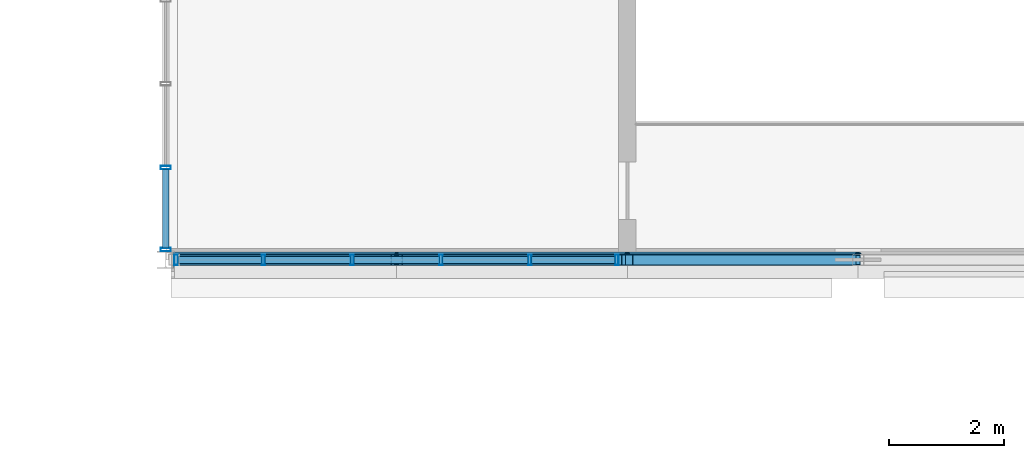
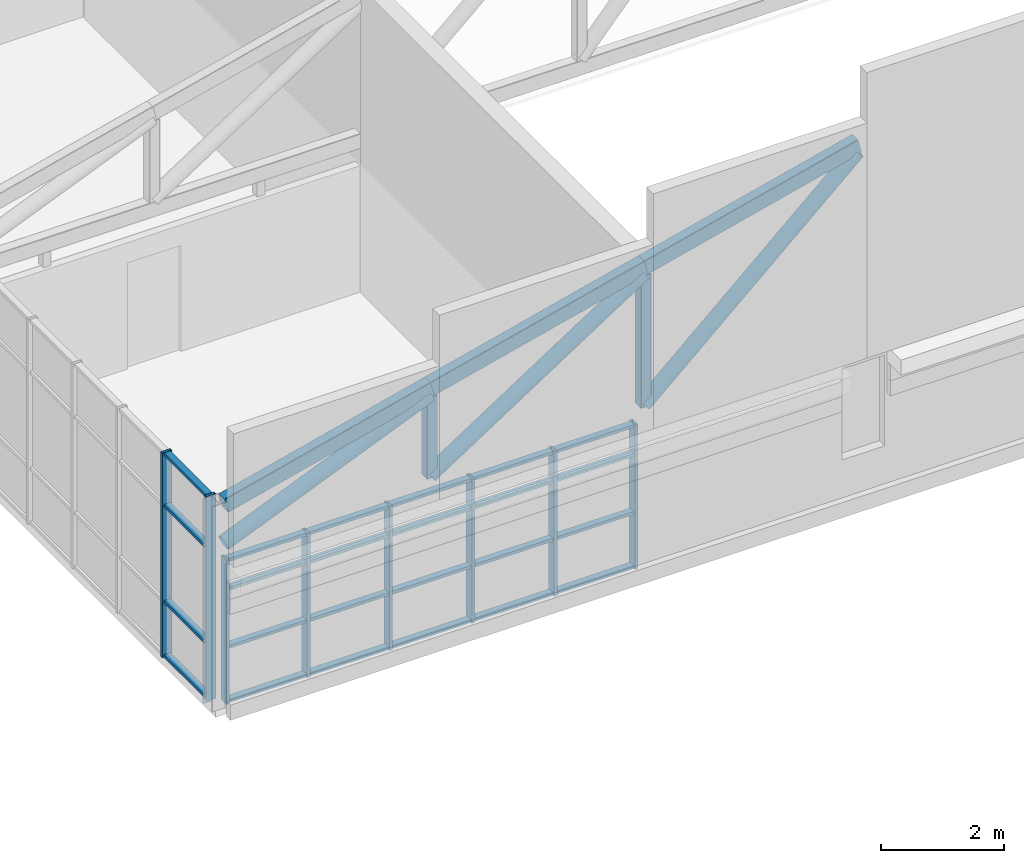
# One storey, part 67 of 149: 40 members, 2 elements without a shape of their own.
"""IFC4 building model written with IfcOpenShell, lengths in metres."""

from ifc_helpers import new_model, si_unit, direction, frame, origin, origin_2d, place, context, subcontext, project, spatial, hollow_rectangle, hollow_circle, extrude, material, material_profile, profile_set, type_object, element, aggregate, save


model = new_model("IFC4")

# Units and contexts
model_context = context("Model", 3, precision=1e-05, world=origin(), true_north=direction((0.0, 1.0)))
body_context = subcontext(model_context, "Body", "Model", "MODEL_VIEW")
ifc_project = project(units=[si_unit("LENGTHUNIT", "METRE"), si_unit("AREAUNIT", "SQUARE_METRE"), si_unit("VOLUMEUNIT", "CUBIC_METRE"), si_unit("PLANEANGLEUNIT", "RADIAN"), si_unit("MASSUNIT", "GRAM", prefix="KILO")], contexts=[model_context])

# Site, building, storey
site_placement = place(None, origin())
site = spatial("IfcSite", under=ifc_project, at=site_placement, CompositionType="ELEMENT")
building_placement = place(site_placement, origin())
building = spatial("IfcBuilding", under=site, at=building_placement, Name="Kallimachos Central Library", CompositionType="ELEMENT")
storey_placement = place(building_placement, frame((0.0, 0.0, 9.89990234375)))
storey = spatial("IfcBuildingStorey", under=building, at=storey_placement, Name="L02", CompositionType="ELEMENT", Elevation=9.89990234375)

# Curtain wall, members
ifc_material_1 = material(Name="Laminated glass in anodised aluminium", Category="aluminium")
curtain_wall_type = type_object("IfcCurtainWallType", Name="Foyer curtain wall", PredefinedType="NOTDEFINED", material=ifc_material_1)
curtain_wall_1_placement = place(storey_placement, origin())
curtain_wall_1 = element("IfcCurtainWall", 1, at=curtain_wall_1_placement, inside=storey, type_object=curtain_wall_type, Name="V3-CWL-L02-001", PredefinedType="NOTDEFINED")
ifc_material_2 = material(Name="Anodised aluminium", Category="aluminium")
ifc_material_profile_1 = material_profile(ifc_material_2, hollow_rectangle(XDim=0.06005859375, YDim=0.179931640625, WallThickness=0.00390625, at=origin_2d()), Name="ALU MULLION 60x180")
ifc_profile_set_1 = profile_set([ifc_material_profile_1], Name="Anodised aluminium")
member_type_1 = type_object("IfcMemberType", Name="ALU MULLION 60x180 mullion", PredefinedType="MULLION", material=ifc_profile_set_1)
member_1_placement = place(storey_placement, frame((138.0, 87.179931640625, 0.0), z_axis=(0.0, 0.0, 1.0), x_axis=(0.0, 1.0, 0.0)))
member_1 = element("IfcMember", 2, at=member_1_placement, type_object=member_type_1, Name="CW mullion 1", PredefinedType="MULLION", context=body_context, shape_type="SweptSolid", body=[
    extrude(hollow_rectangle(XDim=0.06005859375, YDim=0.179931640625, WallThickness=0.00390625, at=origin_2d()), origin(), (0.0, 0.0, 1.0), 4.050048828125),
])
member_2_placement = place(storey_placement, frame((138.0, 88.60009765625, 0.0), z_axis=(0.0, 0.0, 1.0), x_axis=(0.0, 1.0, 0.0)))
member_2 = element("IfcMember", 3, at=member_2_placement, type_object=member_type_1, Name="CW mullion 2", PredefinedType="MULLION", context=body_context, shape_type="SweptSolid", body=[
    extrude(hollow_rectangle(XDim=0.06005859375, YDim=0.179931640625, WallThickness=0.00390625, at=origin_2d()), origin(), (0.0, 0.0, 1.0), 4.050048828125),
])

curtain_wall_2_placement = place(storey_placement, origin())
curtain_wall_2 = element("IfcCurtainWall", 4, at=curtain_wall_2_placement, inside=storey, type_object=curtain_wall_type, Name="V3-CWL-L02-002", PredefinedType="NOTDEFINED")
member_3_placement = place(storey_placement, frame((138.179931640625, 87.0, 0.0), z_axis=(0.0, 0.0, 1.0), x_axis=(1.0, 0.0, 0.0)))
member_3 = element("IfcMember", 5, at=member_3_placement, type_object=member_type_1, Name="CW mullion 1", PredefinedType="MULLION", context=body_context, shape_type="SweptSolid", body=[
    extrude(hollow_rectangle(XDim=0.06005859375, YDim=0.179931640625, WallThickness=0.00390625, at=origin_2d()), origin(), (0.0, 0.0, 1.0), 2.85009765625),
])
member_4_placement = place(storey_placement, frame((139.68994140625, 87.0, 0.0), z_axis=(0.0, 0.0, 1.0), x_axis=(1.0, 0.0, 0.0)))
member_4 = element("IfcMember", 6, at=member_4_placement, type_object=member_type_1, Name="CW mullion 2", PredefinedType="MULLION", context=body_context, shape_type="SweptSolid", body=[
    extrude(hollow_rectangle(XDim=0.06005859375, YDim=0.179931640625, WallThickness=0.00390625, at=origin_2d()), origin(), (0.0, 0.0, 1.0), 2.85009765625),
])
member_5_placement = place(storey_placement, frame((141.22998046875, 87.0, 0.0), z_axis=(0.0, 0.0, 1.0), x_axis=(1.0, 0.0, 0.0)))
member_5 = element("IfcMember", 7, at=member_5_placement, type_object=member_type_1, Name="CW mullion 3", PredefinedType="MULLION", context=body_context, shape_type="SweptSolid", body=[
    extrude(hollow_rectangle(XDim=0.06005859375, YDim=0.179931640625, WallThickness=0.00390625, at=origin_2d()), origin(), (0.0, 0.0, 1.0), 2.85009765625),
])
member_6_placement = place(storey_placement, frame((142.77001953125, 87.0, 0.0), z_axis=(0.0, 0.0, 1.0), x_axis=(1.0, 0.0, 0.0)))
member_6 = element("IfcMember", 8, at=member_6_placement, type_object=member_type_1, Name="CW mullion 4", PredefinedType="MULLION", context=body_context, shape_type="SweptSolid", body=[
    extrude(hollow_rectangle(XDim=0.06005859375, YDim=0.179931640625, WallThickness=0.00390625, at=origin_2d()), origin(), (0.0, 0.0, 1.0), 2.85009765625),
])
member_7_placement = place(storey_placement, frame((144.31005859375, 87.0, 0.0), z_axis=(0.0, 0.0, 1.0), x_axis=(1.0, 0.0, 0.0)))
member_7 = element("IfcMember", 9, at=member_7_placement, type_object=member_type_1, Name="CW mullion 5", PredefinedType="MULLION", context=body_context, shape_type="SweptSolid", body=[
    extrude(hollow_rectangle(XDim=0.06005859375, YDim=0.179931640625, WallThickness=0.00390625, at=origin_2d()), origin(), (0.0, 0.0, 1.0), 2.85009765625),
])
member_8_placement = place(storey_placement, frame((145.820068359375, 87.0, 0.0), z_axis=(0.0, 0.0, 1.0), x_axis=(1.0, 0.0, 0.0)))
member_8 = element("IfcMember", 10, at=member_8_placement, type_object=member_type_1, Name="CW mullion 6", PredefinedType="MULLION", context=body_context, shape_type="SweptSolid", body=[
    extrude(hollow_rectangle(XDim=0.06005859375, YDim=0.179931640625, WallThickness=0.00390625, at=origin_2d()), origin(), (0.0, 0.0, 1.0), 2.85009765625),
])

# Member
ifc_material_3 = material(Name="Anodised aluminium", Category="aluminium")
ifc_material_profile_2 = material_profile(ifc_material_3, hollow_rectangle(XDim=0.06005859375, YDim=0.1201171875, WallThickness=0.00390625, at=origin_2d()), Name="ALU TRANSOM 60x120")
ifc_profile_set_2 = profile_set([ifc_material_profile_2], Name="Anodised aluminium")
member_type_2 = type_object("IfcMemberType", Name="ALU TRANSOM 60x120 transom", PredefinedType="USERDEFINED", material=ifc_profile_set_2)
member_9_placement = place(storey_placement, frame((138.0, 87.2099609375, 0.030029296875), z_axis=(0.0, 1.0, 0.0), x_axis=(0.0, 0.0, 1.0)))
member_9 = element("IfcMember", 11, at=member_9_placement, type_object=member_type_2, Name="CW transom 1.1", ObjectType="TRANSOM", PredefinedType="USERDEFINED", context=body_context, shape_type="SweptSolid", body=[
    extrude(hollow_rectangle(XDim=0.06005859375, YDim=0.1201171875, WallThickness=0.00390625, at=origin_2d()), origin(), (0.0, 0.0, 1.0), 1.360107421875),
])

member_10_placement = place(storey_placement, frame((138.0, 87.2099609375, 1.10009765625), z_axis=(0.0, 1.0, 0.0), x_axis=(0.0, 0.0, 1.0)))
member_10 = element("IfcMember", 12, at=member_10_placement, type_object=member_type_2, Name="CW transom 1.2", ObjectType="TRANSOM", PredefinedType="USERDEFINED", context=body_context, shape_type="SweptSolid", body=[
    extrude(hollow_rectangle(XDim=0.06005859375, YDim=0.1201171875, WallThickness=0.00390625, at=origin_2d()), origin(), (0.0, 0.0, 1.0), 1.360107421875),
])

member_11_placement = place(storey_placement, frame((138.0, 87.2099609375, 3.0), z_axis=(0.0, 1.0, 0.0), x_axis=(0.0, 0.0, 1.0)))
member_11 = element("IfcMember", 13, at=member_11_placement, type_object=member_type_2, Name="CW transom 1.3", ObjectType="TRANSOM", PredefinedType="USERDEFINED", context=body_context, shape_type="SweptSolid", body=[
    extrude(hollow_rectangle(XDim=0.06005859375, YDim=0.1201171875, WallThickness=0.00390625, at=origin_2d()), origin(), (0.0, 0.0, 1.0), 1.360107421875),
])

member_12_placement = place(storey_placement, frame((138.0, 87.2099609375, 4.02001953125), z_axis=(0.0, 1.0, 0.0), x_axis=(0.0, 0.0, 1.0)))
member_12 = element("IfcMember", 14, at=member_12_placement, type_object=member_type_2, Name="CW transom 1.4", ObjectType="TRANSOM", PredefinedType="USERDEFINED", context=body_context, shape_type="SweptSolid", body=[
    extrude(hollow_rectangle(XDim=0.06005859375, YDim=0.1201171875, WallThickness=0.00390625, at=origin_2d()), origin(), (0.0, 0.0, 1.0), 1.360107421875),
])

aggregate(curtain_wall_1, [member_1, member_2, member_9, member_10, member_11, member_12])

member_13_placement = place(storey_placement, frame((138.2099609375, 87.0, 0.030029296875), z_axis=(1.0, 0.0, 0.0), x_axis=(0.0, 0.0, 1.0)))
member_13 = element("IfcMember", 15, at=member_13_placement, type_object=member_type_2, Name="CW transom 1.1", ObjectType="TRANSOM", PredefinedType="USERDEFINED", context=body_context, shape_type="SweptSolid", body=[
    extrude(hollow_rectangle(XDim=0.06005859375, YDim=0.1201171875, WallThickness=0.00390625, at=origin_2d()), origin(), (0.0, 0.0, 1.0), 1.449951171875),
])

member_14_placement = place(storey_placement, frame((138.2099609375, 87.0, 1.10009765625), z_axis=(1.0, 0.0, 0.0), x_axis=(0.0, 0.0, 1.0)))
member_14 = element("IfcMember", 16, at=member_14_placement, type_object=member_type_2, Name="CW transom 1.2", ObjectType="TRANSOM", PredefinedType="USERDEFINED", context=body_context, shape_type="SweptSolid", body=[
    extrude(hollow_rectangle(XDim=0.06005859375, YDim=0.1201171875, WallThickness=0.00390625, at=origin_2d()), origin(), (0.0, 0.0, 1.0), 1.449951171875),
])

member_15_placement = place(storey_placement, frame((138.2099609375, 87.0, 2.25), z_axis=(1.0, 0.0, 0.0), x_axis=(0.0, 0.0, 1.0)))
member_15 = element("IfcMember", 17, at=member_15_placement, type_object=member_type_2, Name="CW transom 1.3", ObjectType="TRANSOM", PredefinedType="USERDEFINED", context=body_context, shape_type="SweptSolid", body=[
    extrude(hollow_rectangle(XDim=0.06005859375, YDim=0.1201171875, WallThickness=0.00390625, at=origin_2d()), origin(), (0.0, 0.0, 1.0), 1.449951171875),
])

member_16_placement = place(storey_placement, frame((138.2099609375, 87.0, 2.820068359375), z_axis=(1.0, 0.0, 0.0), x_axis=(0.0, 0.0, 1.0)))
member_16 = element("IfcMember", 18, at=member_16_placement, type_object=member_type_2, Name="CW transom 1.4", ObjectType="TRANSOM", PredefinedType="USERDEFINED", context=body_context, shape_type="SweptSolid", body=[
    extrude(hollow_rectangle(XDim=0.06005859375, YDim=0.1201171875, WallThickness=0.00390625, at=origin_2d()), origin(), (0.0, 0.0, 1.0), 1.449951171875),
])

member_17_placement = place(storey_placement, frame((139.719970703125, 87.0, 0.030029296875), z_axis=(1.0, 0.0, 0.0), x_axis=(0.0, 0.0, 1.0)))
member_17 = element("IfcMember", 19, at=member_17_placement, type_object=member_type_2, Name="CW transom 2.1", ObjectType="TRANSOM", PredefinedType="USERDEFINED", context=body_context, shape_type="SweptSolid", body=[
    extrude(hollow_rectangle(XDim=0.06005859375, YDim=0.1201171875, WallThickness=0.00390625, at=origin_2d()), origin(), (0.0, 0.0, 1.0), 1.47998046875),
])

member_18_placement = place(storey_placement, frame((139.719970703125, 87.0, 1.10009765625), z_axis=(1.0, 0.0, 0.0), x_axis=(0.0, 0.0, 1.0)))
member_18 = element("IfcMember", 20, at=member_18_placement, type_object=member_type_2, Name="CW transom 2.2", ObjectType="TRANSOM", PredefinedType="USERDEFINED", context=body_context, shape_type="SweptSolid", body=[
    extrude(hollow_rectangle(XDim=0.06005859375, YDim=0.1201171875, WallThickness=0.00390625, at=origin_2d()), origin(), (0.0, 0.0, 1.0), 1.47998046875),
])

member_19_placement = place(storey_placement, frame((139.719970703125, 87.0, 2.25), z_axis=(1.0, 0.0, 0.0), x_axis=(0.0, 0.0, 1.0)))
member_19 = element("IfcMember", 21, at=member_19_placement, type_object=member_type_2, Name="CW transom 2.3", ObjectType="TRANSOM", PredefinedType="USERDEFINED", context=body_context, shape_type="SweptSolid", body=[
    extrude(hollow_rectangle(XDim=0.06005859375, YDim=0.1201171875, WallThickness=0.00390625, at=origin_2d()), origin(), (0.0, 0.0, 1.0), 1.47998046875),
])

member_20_placement = place(storey_placement, frame((139.719970703125, 87.0, 2.820068359375), z_axis=(1.0, 0.0, 0.0), x_axis=(0.0, 0.0, 1.0)))
member_20 = element("IfcMember", 22, at=member_20_placement, type_object=member_type_2, Name="CW transom 2.4", ObjectType="TRANSOM", PredefinedType="USERDEFINED", context=body_context, shape_type="SweptSolid", body=[
    extrude(hollow_rectangle(XDim=0.06005859375, YDim=0.1201171875, WallThickness=0.00390625, at=origin_2d()), origin(), (0.0, 0.0, 1.0), 1.47998046875),
])

member_21_placement = place(storey_placement, frame((141.260009765625, 87.0, 0.030029296875), z_axis=(1.0, 0.0, 0.0), x_axis=(0.0, 0.0, 1.0)))
member_21 = element("IfcMember", 23, at=member_21_placement, type_object=member_type_2, Name="CW transom 3.1", ObjectType="TRANSOM", PredefinedType="USERDEFINED", context=body_context, shape_type="SweptSolid", body=[
    extrude(hollow_rectangle(XDim=0.06005859375, YDim=0.1201171875, WallThickness=0.00390625, at=origin_2d()), origin(), (0.0, 0.0, 1.0), 1.47998046875),
])

member_22_placement = place(storey_placement, frame((141.260009765625, 87.0, 1.10009765625), z_axis=(1.0, 0.0, 0.0), x_axis=(0.0, 0.0, 1.0)))
member_22 = element("IfcMember", 24, at=member_22_placement, type_object=member_type_2, Name="CW transom 3.2", ObjectType="TRANSOM", PredefinedType="USERDEFINED", context=body_context, shape_type="SweptSolid", body=[
    extrude(hollow_rectangle(XDim=0.06005859375, YDim=0.1201171875, WallThickness=0.00390625, at=origin_2d()), origin(), (0.0, 0.0, 1.0), 1.47998046875),
])

member_23_placement = place(storey_placement, frame((141.260009765625, 87.0, 2.25), z_axis=(1.0, 0.0, 0.0), x_axis=(0.0, 0.0, 1.0)))
member_23 = element("IfcMember", 25, at=member_23_placement, type_object=member_type_2, Name="CW transom 3.3", ObjectType="TRANSOM", PredefinedType="USERDEFINED", context=body_context, shape_type="SweptSolid", body=[
    extrude(hollow_rectangle(XDim=0.06005859375, YDim=0.1201171875, WallThickness=0.00390625, at=origin_2d()), origin(), (0.0, 0.0, 1.0), 1.47998046875),
])

member_24_placement = place(storey_placement, frame((141.260009765625, 87.0, 2.820068359375), z_axis=(1.0, 0.0, 0.0), x_axis=(0.0, 0.0, 1.0)))
member_24 = element("IfcMember", 26, at=member_24_placement, type_object=member_type_2, Name="CW transom 3.4", ObjectType="TRANSOM", PredefinedType="USERDEFINED", context=body_context, shape_type="SweptSolid", body=[
    extrude(hollow_rectangle(XDim=0.06005859375, YDim=0.1201171875, WallThickness=0.00390625, at=origin_2d()), origin(), (0.0, 0.0, 1.0), 1.47998046875),
])

member_25_placement = place(storey_placement, frame((142.800048828125, 87.0, 0.030029296875), z_axis=(1.0, 0.0, 0.0), x_axis=(0.0, 0.0, 1.0)))
member_25 = element("IfcMember", 27, at=member_25_placement, type_object=member_type_2, Name="CW transom 4.1", ObjectType="TRANSOM", PredefinedType="USERDEFINED", context=body_context, shape_type="SweptSolid", body=[
    extrude(hollow_rectangle(XDim=0.06005859375, YDim=0.1201171875, WallThickness=0.00390625, at=origin_2d()), origin(), (0.0, 0.0, 1.0), 1.47998046875),
])

member_26_placement = place(storey_placement, frame((142.800048828125, 87.0, 1.10009765625), z_axis=(1.0, 0.0, 0.0), x_axis=(0.0, 0.0, 1.0)))
member_26 = element("IfcMember", 28, at=member_26_placement, type_object=member_type_2, Name="CW transom 4.2", ObjectType="TRANSOM", PredefinedType="USERDEFINED", context=body_context, shape_type="SweptSolid", body=[
    extrude(hollow_rectangle(XDim=0.06005859375, YDim=0.1201171875, WallThickness=0.00390625, at=origin_2d()), origin(), (0.0, 0.0, 1.0), 1.47998046875),
])

member_27_placement = place(storey_placement, frame((142.800048828125, 87.0, 2.25), z_axis=(1.0, 0.0, 0.0), x_axis=(0.0, 0.0, 1.0)))
member_27 = element("IfcMember", 29, at=member_27_placement, type_object=member_type_2, Name="CW transom 4.3", ObjectType="TRANSOM", PredefinedType="USERDEFINED", context=body_context, shape_type="SweptSolid", body=[
    extrude(hollow_rectangle(XDim=0.06005859375, YDim=0.1201171875, WallThickness=0.00390625, at=origin_2d()), origin(), (0.0, 0.0, 1.0), 1.47998046875),
])

member_28_placement = place(storey_placement, frame((142.800048828125, 87.0, 2.820068359375), z_axis=(1.0, 0.0, 0.0), x_axis=(0.0, 0.0, 1.0)))
member_28 = element("IfcMember", 30, at=member_28_placement, type_object=member_type_2, Name="CW transom 4.4", ObjectType="TRANSOM", PredefinedType="USERDEFINED", context=body_context, shape_type="SweptSolid", body=[
    extrude(hollow_rectangle(XDim=0.06005859375, YDim=0.1201171875, WallThickness=0.00390625, at=origin_2d()), origin(), (0.0, 0.0, 1.0), 1.47998046875),
])

member_29_placement = place(storey_placement, frame((144.340087890625, 87.0, 0.030029296875), z_axis=(1.0, 0.0, 0.0), x_axis=(0.0, 0.0, 1.0)))
member_29 = element("IfcMember", 31, at=member_29_placement, type_object=member_type_2, Name="CW transom 5.1", ObjectType="TRANSOM", PredefinedType="USERDEFINED", context=body_context, shape_type="SweptSolid", body=[
    extrude(hollow_rectangle(XDim=0.06005859375, YDim=0.1201171875, WallThickness=0.00390625, at=origin_2d()), origin(), (0.0, 0.0, 1.0), 1.449951171875),
])

member_30_placement = place(storey_placement, frame((144.340087890625, 87.0, 1.10009765625), z_axis=(1.0, 0.0, 0.0), x_axis=(0.0, 0.0, 1.0)))
member_30 = element("IfcMember", 32, at=member_30_placement, type_object=member_type_2, Name="CW transom 5.2", ObjectType="TRANSOM", PredefinedType="USERDEFINED", context=body_context, shape_type="SweptSolid", body=[
    extrude(hollow_rectangle(XDim=0.06005859375, YDim=0.1201171875, WallThickness=0.00390625, at=origin_2d()), origin(), (0.0, 0.0, 1.0), 1.449951171875),
])

member_31_placement = place(storey_placement, frame((144.340087890625, 87.0, 2.25), z_axis=(1.0, 0.0, 0.0), x_axis=(0.0, 0.0, 1.0)))
member_31 = element("IfcMember", 33, at=member_31_placement, type_object=member_type_2, Name="CW transom 5.3", ObjectType="TRANSOM", PredefinedType="USERDEFINED", context=body_context, shape_type="SweptSolid", body=[
    extrude(hollow_rectangle(XDim=0.06005859375, YDim=0.1201171875, WallThickness=0.00390625, at=origin_2d()), origin(), (0.0, 0.0, 1.0), 1.449951171875),
])

member_32_placement = place(storey_placement, frame((144.340087890625, 87.0, 2.820068359375), z_axis=(1.0, 0.0, 0.0), x_axis=(0.0, 0.0, 1.0)))
member_32 = element("IfcMember", 34, at=member_32_placement, type_object=member_type_2, Name="CW transom 5.4", ObjectType="TRANSOM", PredefinedType="USERDEFINED", context=body_context, shape_type="SweptSolid", body=[
    extrude(hollow_rectangle(XDim=0.06005859375, YDim=0.1201171875, WallThickness=0.00390625, at=origin_2d()), origin(), (0.0, 0.0, 1.0), 1.449951171875),
])

aggregate(curtain_wall_2, [member_3, member_4, member_5, member_6, member_7, member_8, member_13, member_14, member_15, member_16, member_17, member_18, member_19, member_20, member_21, member_22, member_23, member_24, member_25, member_26, member_27, member_28, member_29, member_30, member_31, member_32])

# Members
ifc_material_4 = material(Name="Steel S355J2H", Category="steel")
ifc_material_profile_3 = material_profile(ifc_material_4, hollow_circle(Radius=0.136474609375, WallThickness=0.012451171875, at=origin_2d()), Name="CHS 273x12.5")
ifc_profile_set_3 = profile_set([ifc_material_profile_3], Name="Steel S355J2H")
member_type_3 = type_object("IfcMemberType", Name="CHS 273x12.5 truss brace", PredefinedType="BRACE", material=ifc_profile_set_3)
member_33_placement = place(storey_placement, frame((138.14990234375, 87.0, 3.150146484375), z_axis=(0.923447241071, 0.0, 0.38372541349), x_axis=(0.0, 1.0, 0.0)))
element("IfcMember", 35, at=member_33_placement, inside=storey, type_object=member_type_3, Name="Truss T1 brace 1", PredefinedType="BRACE", context=body_context, shape_type="SweptSolid", body=[
    extrude(hollow_circle(Radius=0.136474609375, WallThickness=0.012451171875, at=origin_2d()), origin(), (0.0, 0.0, 1.0), 4.169189453125),
])
member_34_placement = place(storey_placement, frame((142.0, 87.0, 3.150146484375), z_axis=(0.838457646535, 0.0, 0.544966765012), x_axis=(0.0, 1.0, 0.0)))
element("IfcMember", 36, at=member_34_placement, inside=storey, type_object=member_type_3, Name="Truss T1 brace 2", PredefinedType="BRACE", context=body_context, shape_type="SweptSolid", body=[
    extrude(hollow_circle(Radius=0.136474609375, WallThickness=0.012451171875, at=origin_2d()), origin(), (0.0, 0.0, 1.0), 4.770751953125),
])
member_35_placement = place(storey_placement, frame((146.0, 87.0, 3.150146484375), z_axis=(0.74330768127, 0.0, 0.668949692402), x_axis=(0.0, 1.0, 0.0)))
element("IfcMember", 37, at=member_35_placement, inside=storey, type_object=member_type_3, Name="Truss T1 brace 3", PredefinedType="BRACE", context=body_context, shape_type="SweptSolid", body=[
    extrude(hollow_circle(Radius=0.136474609375, WallThickness=0.012451171875, at=origin_2d()), origin(), (0.0, 0.0, 1.0), 5.38134765625),
])
ifc_material_5 = material(Name="Steel S355J2H", Category="steel")
ifc_material_profile_4 = material_profile(ifc_material_5, hollow_rectangle(XDim=0.199951171875, YDim=0.300048828125, WallThickness=0.012451171875, InnerFilletRadius=0.012451171875, OuterFilletRadius=0.018798828125, at=origin_2d()), Name="RHS 300x200x12.5")
ifc_profile_set_4 = profile_set([ifc_material_profile_4], Name="Steel S355J2H")
member_type_4 = type_object("IfcMemberType", Name="RHS 300x200x12.5 truss chord", PredefinedType="CHORD", material=ifc_profile_set_4)
member_36_placement = place(storey_placement, frame((138.14990234375, 87.0, 3.9375), z_axis=(0.970135262328, 0.0, 0.242564574468), x_axis=(0.0, 1.0, 0.0)))
element("IfcMember", 38, at=member_36_placement, inside=storey, type_object=member_type_4, Name="Truss T1 top chord 1", PredefinedType="CHORD", context=body_context, shape_type="SweptSolid", body=[
    extrude(hollow_rectangle(XDim=0.199951171875, YDim=0.300048828125, WallThickness=0.012451171875, InnerFilletRadius=0.012451171875, OuterFilletRadius=0.018798828125, at=origin_2d()), origin(), (0.0, 0.0, 1.0), 3.968505859375),
])
for number, where, z_axis, x_axis, name in (
    (39, (142.0, 87.0, 4.900146484375), (0.970142500145, 0.0, 0.242535625036), (0.0, 1.0, 0.0), "Truss T1 top chord 2"),
    (40, (146.0, 87.0, 5.900146484375), (0.970142500145, 0.0, 0.242535625036), (0.0, 1.0, 0.0), "Truss T1 top chord 3"),
):
    element("IfcMember", number, at=place(storey_placement, frame(where, z_axis=z_axis, x_axis=x_axis)), inside=storey, type_object=member_type_4, Name=name, PredefinedType="CHORD", context=body_context, shape_type="SweptSolid", body=[
        extrude(hollow_rectangle(XDim=0.199951171875, YDim=0.300048828125, WallThickness=0.012451171875, InnerFilletRadius=0.012451171875, OuterFilletRadius=0.018798828125, at=origin_2d()), origin(), (0.0, 0.0, 1.0), 4.123046875),
    ])
ifc_material_6 = material(Name="Steel S355J2H", Category="steel")
ifc_material_profile_5 = material_profile(ifc_material_6, hollow_rectangle(XDim=0.199951171875, YDim=0.199951171875, WallThickness=0.010009765625, InnerFilletRadius=0.010009765625, OuterFilletRadius=0.014892578125, at=origin_2d()), Name="SHS 200x200x10")
ifc_profile_set_5 = profile_set([ifc_material_profile_5], Name="Steel S355J2H")
member_type_5 = type_object("IfcMemberType", Name="SHS 200x200x10 truss post", PredefinedType="POST", material=ifc_profile_set_5)
member_37_placement = place(storey_placement, frame((142.0, 87.0, 3.150146484375), z_axis=(0.0, 0.0, 1.0), x_axis=(1.0, 0.0, 0.0)))
element("IfcMember", 41, at=member_37_placement, inside=storey, type_object=member_type_5, Name="Truss T1 post 2", PredefinedType="POST", context=body_context, shape_type="SweptSolid", body=[
    extrude(hollow_rectangle(XDim=0.199951171875, YDim=0.199951171875, WallThickness=0.010009765625, InnerFilletRadius=0.010009765625, OuterFilletRadius=0.014892578125, at=origin_2d()), origin(), (0.0, 0.0, 1.0), 1.599853515625),
])
member_38_placement = place(storey_placement, frame((146.0, 87.0, 3.150146484375), z_axis=(0.0, 0.0, 1.0), x_axis=(1.0, 0.0, 0.0)))
element("IfcMember", 42, at=member_38_placement, inside=storey, type_object=member_type_5, Name="Truss T1 post 3", PredefinedType="POST", context=body_context, shape_type="SweptSolid", body=[
    extrude(hollow_rectangle(XDim=0.199951171875, YDim=0.199951171875, WallThickness=0.010009765625, InnerFilletRadius=0.010009765625, OuterFilletRadius=0.014892578125, at=origin_2d()), origin(), (0.0, 0.0, 1.0), 2.599853515625),
])

save(model, "model.ifc")
